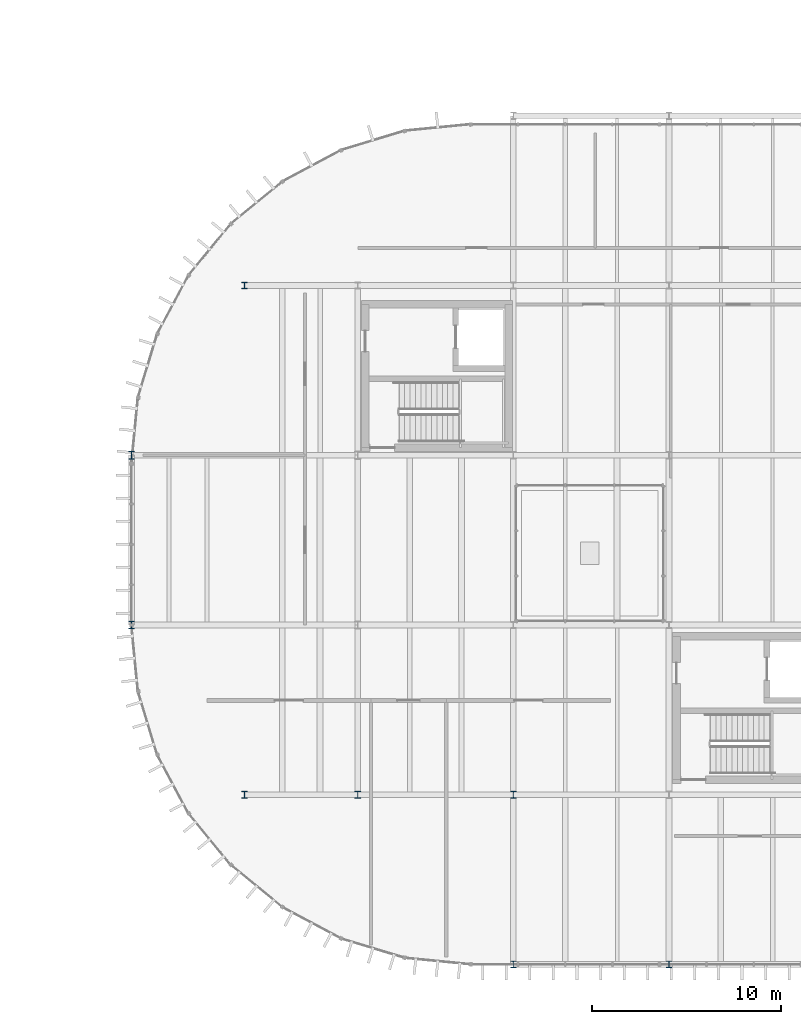
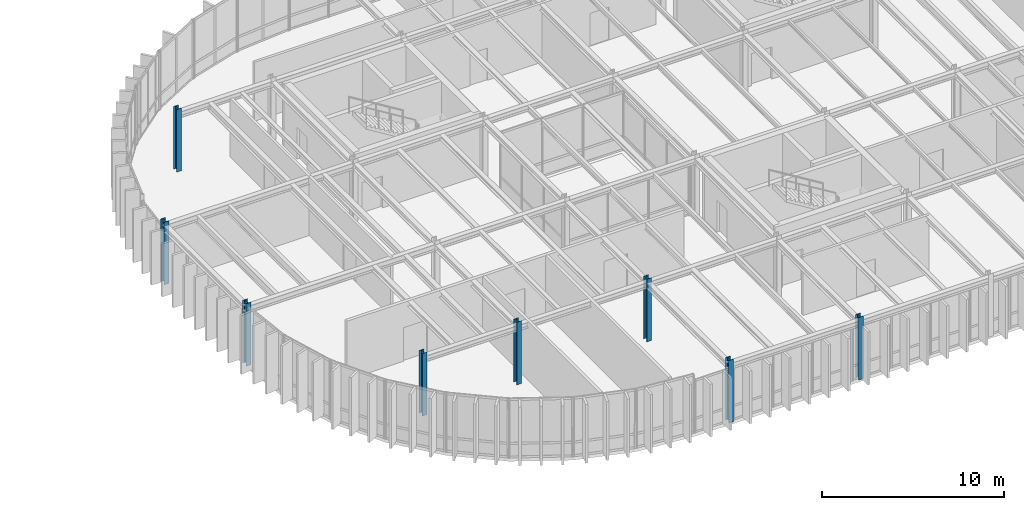
# One storey, part 1 of 31: 8 columns.
"""IFC4 building model written with IfcOpenShell, lengths in metres."""

import ifcopenshell
import ifcopenshell.guid

model = None  # the IFC model being written
_history = None  # IfcOwnerHistory: only IFC2X3 demands one
_inside = {}  # id of a spatial element -> (the spatial element, [elements in it])
_under = {}  # id of a project, library or spatial element -> (it, [spatial elements below it])
_declared = {}  # id of a project -> (the project, [libraries it declares])
_typed = {}  # id of a type object -> (the type object, [elements of that type])
_made_of = {}  # id of a material, layer set ... -> (it, [elements and type objects made of it])


def new_model(schema):
    """Start an empty IFC model of exactly this schema.

    Asked for "IFC4X3", IfcOpenShell would pick the latest addendum, in which some entities
    have other attributes; the version numbers below select the first issue.
    IFC2X3 requires an IfcOwnerHistory on every rooted entity: one is made here for all.
    """
    global model, _history
    if schema == "IFC4X3":
        model = ifcopenshell.file(schema_version=(4, 3, 0, 0))
    else:
        model = ifcopenshell.file(schema=schema)
    _inside.clear()
    _under.clear()
    _declared.clear()
    _typed.clear()
    _made_of.clear()
    _history = None
    if model.schema == "IFC2X3":
        org = make("IfcOrganization", Name="unknown")
        user = make(
            "IfcPersonAndOrganization",
            ThePerson=make("IfcPerson", FamilyName="unknown"),
            TheOrganization=org,
        )
        app = make(
            "IfcApplication",
            ApplicationDeveloper=org,
            Version="unknown",
            ApplicationFullName="unknown",
            ApplicationIdentifier="unknown",
        )
        _history = make(
            "IfcOwnerHistory",
            OwningUser=user,
            OwningApplication=app,
            ChangeAction="ADDED",
            CreationDate=0,
        )
    return model


def make(cls, **values):
    """One entity of the class cls with the attributes given. An attribute that is None is left unset."""
    return model.create_entity(
        cls, **{name: value for name, value in values.items() if value is not None}
    )


def rooted(cls, **values):
    """An entity with a GlobalId (a new one), such as an element, a storey or a relation."""
    return make(cls, GlobalId=ifcopenshell.guid.new(), OwnerHistory=_history, **values)


def si_unit(unit_type, name, prefix=None):
    """IfcSIUnit, for example si_unit("LENGTHUNIT", "METRE", prefix="MILLI")."""
    return make("IfcSIUnit", UnitType=unit_type, Prefix=prefix, Name=name)


def assignment(units):
    """IfcUnitAssignment: the units of a project."""
    return None if units is None else make("IfcUnitAssignment", Units=units)


def point(xyz):
    """IfcCartesianPoint."""
    return None if xyz is None else make("IfcCartesianPoint", Coordinates=xyz)


def direction(xyz):
    """IfcDirection."""
    return None if xyz is None else make("IfcDirection", DirectionRatios=xyz)


def frame(location, z_axis=None, x_axis=None):
    """IfcAxis2Placement3D, a coordinate frame: its origin and axes. An axis left out is left unset."""
    return make(
        "IfcAxis2Placement3D",
        Location=point(location),
        Axis=direction(z_axis),
        RefDirection=direction(x_axis),
    )


def frame_2d(location, x_axis=None):
    """IfcAxis2Placement2D, a coordinate frame in the plane: its origin and x axis."""
    return make(
        "IfcAxis2Placement2D", Location=point(location), RefDirection=direction(x_axis)
    )


def origin():
    """The frame at (0, 0, 0) with its axes left unset."""
    return frame((0.0, 0.0, 0.0))


def origin_2d():
    """The frame at (0, 0) in the plane with its x axis left unset."""
    return frame_2d((0.0, 0.0))


def place(relative_to, where):
    """IfcLocalPlacement: puts the frame where relative to a parent placement (None: the world)."""
    return make(
        "IfcLocalPlacement", PlacementRelTo=relative_to, RelativePlacement=where
    )


def context(
    kind, dimensions, precision=None, world=None, true_north=None, identifier=None
):
    """IfcGeometricRepresentationContext, for example the 3D "Model" context."""
    return make(
        "IfcGeometricRepresentationContext",
        ContextIdentifier=identifier,
        ContextType=kind,
        CoordinateSpaceDimension=dimensions,
        Precision=precision,
        WorldCoordinateSystem=world,
        TrueNorth=true_north,
    )


def subcontext(parent, identifier, kind, view, scale=None):
    """IfcGeometricRepresentationSubContext, for example "Body" below "Model"."""
    return make(
        "IfcGeometricRepresentationSubContext",
        ContextIdentifier=identifier,
        ContextType=kind,
        ParentContext=parent,
        TargetScale=scale,
        TargetView=view,
    )


def project(units=None, contexts=None):
    """IfcProject with its units and contexts."""
    return rooted(
        "IfcProject",
        Name="project",
        RepresentationContexts=contexts,
        UnitsInContext=assignment(units),
    )


def spatial(cls, under=None, at=None, **own):
    """A site, building, storey or space (cls), placed at a placement, below another one or the project."""
    s = rooted(cls, ObjectPlacement=at, **own)
    if under is not None:
        _under.setdefault(under.id(), (under, []))[1].append(s)
    return s


def profile(cls, at=None, kind="AREA", **sizes):
    """A parametric profile (cls). Its sizes go by their IFC names, for example OverallWidth=200.0."""
    return make(cls, ProfileType=kind, Position=at, **sizes)


def i_section(**sizes):
    """IfcIShapeProfileDef."""
    return profile("IfcIShapeProfileDef", **sizes)


def extrude(swept, where, along, depth):
    """IfcExtrudedAreaSolid: the profile swept, set in the frame where, extruded along a direction by depth."""
    return make(
        "IfcExtrudedAreaSolid",
        SweptArea=swept,
        Position=where,
        ExtrudedDirection=direction(along),
        Depth=depth,
    )


def shape(context_of_items, identifier, shape_type, items):
    """IfcShapeRepresentation: the items that make up one representation, for example the "Body"."""
    return make(
        "IfcShapeRepresentation",
        ContextOfItems=context_of_items,
        RepresentationIdentifier=identifier,
        RepresentationType=shape_type,
        Items=items,
    )


def material(Name=None, Category=None):
    """IfcMaterial."""
    return make("IfcMaterial", Name=Name, Category=Category)


def material_profile(
    of_material, cross_section, Name=None, Category=None, Priority=None
):
    """IfcMaterialProfile: a cross section and its material."""
    return make(
        "IfcMaterialProfile",
        Name=Name,
        Material=of_material,
        Profile=cross_section,
        Priority=Priority,
        Category=Category,
    )


def profile_set(profiles, Name=None, composite=None):
    """IfcMaterialProfileSet."""
    return make(
        "IfcMaterialProfileSet",
        Name=Name,
        MaterialProfiles=profiles,
        CompositeProfile=composite,
    )


def made_of(thing, what):
    """Note that an element or type object is made of a material, layer set ...; save() writes the relation."""
    if what is not None:
        _made_of.setdefault(what.id(), (what, []))[1].append(thing)
    return thing


def type_object(cls, material=None, **own):
    """A type object (cls), such as IfcWallType, which elements share."""
    return made_of(rooted(cls, **own), material)


def element(
    cls,
    number,
    at=None,
    inside=None,
    cuts=None,
    type_object=None,
    material=None,
    context=None,
    identifier="Body",
    shape_type=None,
    held_by="IfcProductDefinitionShape",
    body=None,
    shapes=None,
    **own,
):
    """One element of the class cls, such as IfcWall. Its Tag is "e" and its number.

    at: its placement. inside: the storey or other place that contains it. cuts: it is an
    opening in that element (IfcRelVoidsElement). A single representation is given by context,
    identifier, shape_type and body (its items); several are given by shapes. held_by: the class
    of the entity that holds the representations. save() writes the other relations.
    """
    e = rooted(cls, Tag="e%d" % number, ObjectPlacement=at, **own)
    if body is not None:
        shapes = [shape(context, identifier, shape_type, body)]
    if shapes is not None:
        e.Representation = make(held_by, Representations=shapes)
    if inside is not None:
        _inside.setdefault(inside.id(), (inside, []))[1].append(e)
    if cuts is not None:
        rooted(
            "IfcRelVoidsElement", RelatingBuildingElement=cuts, RelatedOpeningElement=e
        )
    if type_object is not None:
        _typed.setdefault(type_object.id(), (type_object, []))[1].append(e)
    return made_of(e, material)


def aggregate(whole, parts):
    """IfcRelAggregates: a whole, such as a stair, and the parts it consists of."""
    return rooted("IfcRelAggregates", RelatingObject=whole, RelatedObjects=parts)


def save(model, path):
    """Write the relations noted so far, then the file.

    IfcRelAggregates (storeys below a building ...), IfcRelContainedInSpatialStructure (elements
    in a storey), IfcRelDefinesByType, IfcRelAssociatesMaterial and IfcRelDeclares: one each for
    every whole, place, type object, material and project.
    """
    for whole, parts in _under.values():
        aggregate(whole, parts)
    for where, things in _inside.values():
        rooted(
            "IfcRelContainedInSpatialStructure",
            RelatedElements=things,
            RelatingStructure=where,
        )
    for kind, things in _typed.values():
        rooted("IfcRelDefinesByType", RelatedObjects=things, RelatingType=kind)
    for what, things in _made_of.values():
        rooted("IfcRelAssociatesMaterial", RelatedObjects=things, RelatingMaterial=what)
    for by, libraries in _declared.values():
        rooted("IfcRelDeclares", RelatingContext=by, RelatedDefinitions=libraries)
    model.write(path)


model = new_model("IFC4")

# Units and contexts
model_context = context("Model", 3, precision=1e-05, world=origin(), true_north=direction((0.0, 1.0)))
body_context = subcontext(model_context, "Body", "Model", "MODEL_VIEW")
ifc_project = project(units=[si_unit("LENGTHUNIT", "METRE"), si_unit("AREAUNIT", "SQUARE_METRE"), si_unit("VOLUMEUNIT", "CUBIC_METRE"), si_unit("PLANEANGLEUNIT", "RADIAN"), si_unit("MASSUNIT", "GRAM", prefix="KILO")], contexts=[model_context])

# Site, building, storey
site_placement = place(None, origin())
site = spatial("IfcSite", under=ifc_project, at=site_placement, CompositionType="ELEMENT")
building_placement = place(site_placement, origin())
building = spatial("IfcBuilding", under=site, at=building_placement, Name="Montealbar Specialist Clinic", CompositionType="ELEMENT")
storey_placement = place(building_placement, frame((0.0, 0.0, 13.800048828125)))
storey = spatial("IfcBuildingStorey", under=building, at=storey_placement, Name="L03", CompositionType="ELEMENT", Elevation=13.800048828125)

# Columns
ifc_material = material(Name="Steel S355", Category="steel")
ifc_material_profile_1 = material_profile(ifc_material, i_section(OverallWidth=0.300048828125, OverallDepth=0.39990234375, WebThickness=0.013427734375, FlangeThickness=0.02392578125, FilletRadius=0.027099609375, at=origin_2d()), Name="HEB 400", Category="steel")
ifc_profile_set_1 = profile_set([ifc_material_profile_1], Name="Steel S355")
column_type_1 = type_object("IfcColumnType", Name="COL-S-L02-STD-EXT", PredefinedType="COLUMN", material=ifc_profile_set_1)
for number, where, z_axis, x_axis, name in (
    (1, (54.0, 18.0, 0.0), (0.0, 0.0, 1.0), (1.0, 0.0, 0.0), "Column 7/C L03"),
    (2, (54.0, 27.0, 0.0), (0.0, 0.0, 1.0), (1.0, 0.0, 0.0), "Column 7/D L03"),
):
    element("IfcColumn", number, at=place(storey_placement, frame(where, z_axis=z_axis, x_axis=x_axis)), inside=storey, type_object=column_type_1, Name=name, PredefinedType="COLUMN", context=body_context, shape_type="SweptSolid", body=[
        extrude(i_section(OverallWidth=0.300048828125, OverallDepth=0.39990234375, WebThickness=0.013427734375, FlangeThickness=0.02392578125, FilletRadius=0.027099609375, at=origin_2d()), origin(), (0.0, 0.0, 1.0), 4.199951171875),
    ])
ifc_material_profile_2 = material_profile(ifc_material, i_section(OverallWidth=0.300048828125, OverallDepth=0.360107421875, WebThickness=0.012451171875, FlangeThickness=0.0224609375, FilletRadius=0.027099609375, at=origin_2d()), Name="HEB 360", Category="steel")
ifc_profile_set_2 = profile_set([ifc_material_profile_2], Name="Steel S355")
column_type_2 = type_object("IfcColumnType", Name="COL-S-L03-STD", PredefinedType="COLUMN", material=ifc_profile_set_2)
for number, where, z_axis, x_axis, name in (
    (3, (60.0, 9.0, 0.0), (0.0, 0.0, 1.0), (1.0, 0.0, 0.0), "Column 8/B L03"),
    (4, (60.0, 36.0, 0.0), (0.0, 0.0, 1.0), (1.0, 0.0, 0.0), "Column 8/E L03"),
    (5, (66.0, 9.0, 0.0), (0.0, 0.0, 1.0), (1.0, 0.0, 0.0), "Column 9/B L03"),
    (6, (74.25, 9.0, 0.0), (0.0, 0.0, 1.0), (1.0, 0.0, 0.0), "Column 10/B L03"),
):
    element("IfcColumn", number, at=place(storey_placement, frame(where, z_axis=z_axis, x_axis=x_axis)), inside=storey, type_object=column_type_2, Name=name, PredefinedType="COLUMN", context=body_context, shape_type="SweptSolid", body=[
        extrude(i_section(OverallWidth=0.300048828125, OverallDepth=0.360107421875, WebThickness=0.012451171875, FlangeThickness=0.0224609375, FilletRadius=0.027099609375, at=origin_2d()), origin(), (0.0, 0.0, 1.0), 4.199951171875),
    ])
ifc_material_profile_3 = material_profile(ifc_material, i_section(OverallWidth=0.300048828125, OverallDepth=0.360107421875, WebThickness=0.012451171875, FlangeThickness=0.0224609375, FilletRadius=0.027099609375, at=origin_2d()), Name="HEB 360", Category="steel")
ifc_profile_set_3 = profile_set([ifc_material_profile_3], Name="Steel S355")
column_type_3 = type_object("IfcColumnType", Name="COL-S-L03-STD-EXT", PredefinedType="COLUMN", material=ifc_profile_set_3)
for number, where, z_axis, x_axis, name in (
    (7, (74.25, 0.0, 0.0), (0.0, 0.0, 1.0), (1.0, 0.0, 0.0), "Column 10/A L03"),
    (8, (82.5, 0.0, 0.0), (0.0, 0.0, 1.0), (1.0, 0.0, 0.0), "Column 11/A L03"),
):
    element("IfcColumn", number, at=place(storey_placement, frame(where, z_axis=z_axis, x_axis=x_axis)), inside=storey, type_object=column_type_3, Name=name, PredefinedType="COLUMN", context=body_context, shape_type="SweptSolid", body=[
        extrude(i_section(OverallWidth=0.300048828125, OverallDepth=0.360107421875, WebThickness=0.012451171875, FlangeThickness=0.0224609375, FilletRadius=0.027099609375, at=origin_2d()), origin(), (0.0, 0.0, 1.0), 4.199951171875),
    ])

save(model, "model.ifc")
